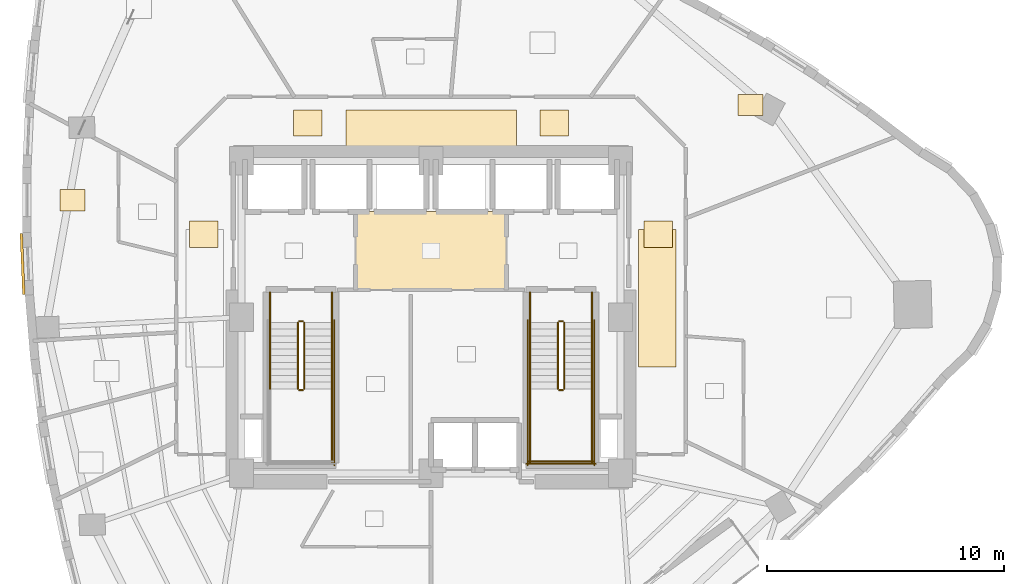
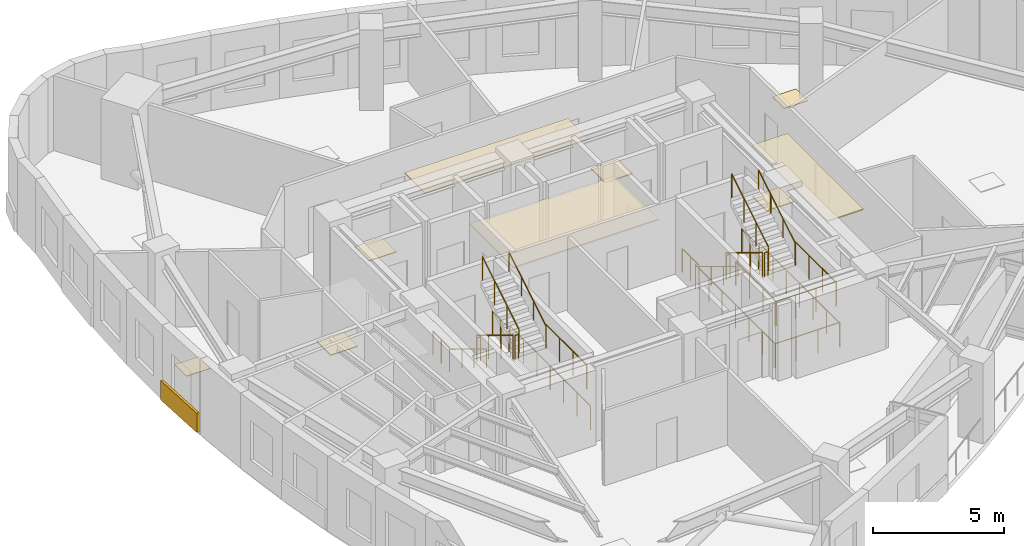
# One storey, part 11 of 12: 24 railings, 10 coverings.
"""IFC4 building model written with IfcOpenShell, lengths in metres."""

from ifc_helpers import new_model, si_unit, direction, frame, origin, origin_2d, place, context, subcontext, project, spatial, rectangle, circle, extrude, material, layer, layer_set, type_object, element, save


model = new_model("IFC4")

# Units and contexts
model_context = context("Model", 3, precision=1e-05, world=origin(), true_north=direction((0.0, 1.0)))
body_context = subcontext(model_context, "Body", "Model", "MODEL_VIEW")
ifc_project = project(units=[si_unit("LENGTHUNIT", "METRE"), si_unit("AREAUNIT", "SQUARE_METRE"), si_unit("VOLUMEUNIT", "CUBIC_METRE"), si_unit("PLANEANGLEUNIT", "RADIAN"), si_unit("MASSUNIT", "GRAM", prefix="KILO")], contexts=[model_context])

# Site, building, storey
site_placement = place(None, origin())
site = spatial("IfcSite", under=ifc_project, at=site_placement, CompositionType="ELEMENT")
building_placement = place(site_placement, origin())
building = spatial("IfcBuilding", under=site, at=building_placement, Name="Ndelora Gate Hotel", CompositionType="ELEMENT")
storey_placement = place(building_placement, frame((0.0, 0.0, 142.25)))
storey = spatial("IfcBuildingStorey", under=building, at=storey_placement, Name="L35", CompositionType="ELEMENT", Elevation=142.25)

# Coverings
ifc_material_1 = material(Name="Perforated Acoustic Gypsum Board", Category="gypsum")
ifc_layer_1 = layer(ifc_material_1, 0.054931640625)
ifc_layer_set_1 = layer_set([ifc_layer_1], Name="Perforated Acoustic Gypsum Board")
covering_type_1 = type_object("IfcCoveringType", Name="COV-CEIL-AC60", PredefinedType="CEILING", material=ifc_layer_set_1)
covering_1_placement = place(storey_placement, frame((0.0, 2.800048828125, 2.72265625), z_axis=(0.0, 0.0, 1.0), x_axis=(1.0, 0.0, 0.0)))
element("IfcCovering", 1, at=covering_1_placement, inside=storey, type_object=covering_type_1, Name="L35 Lift Lobby Acoustic Ceiling", PredefinedType="CEILING", context=body_context, shape_type="SweptSolid", body=[
    extrude(rectangle(XDim=6.39990234375, YDim=3.340087890625, at=origin_2d()), origin(), (0.0, 0.0, 1.0), 0.054931640625),
])
covering_2_placement = place(storey_placement, frame((0.0, 7.9599609375, 2.65234375), z_axis=(0.0, 0.0, 1.0), x_axis=(1.0, 0.0, 0.0)))
element("IfcCovering", 2, at=covering_2_placement, inside=storey, type_object=covering_type_1, Name="L35 Guest Corridor Acoustic Ceiling N", PredefinedType="CEILING", context=body_context, shape_type="SweptSolid", body=[
    extrude(rectangle(XDim=7.199951171875, YDim=1.580078125, at=origin_2d()), origin(), (0.0, 0.0, 1.0), 0.054931640625),
])
covering_3_placement = place(storey_placement, frame((9.550048828125, 0.800048828125, 2.65234375), z_axis=(0.0, 0.0, 1.0), x_axis=(1.0, 0.0, 0.0)))
element("IfcCovering", 3, at=covering_3_placement, inside=storey, type_object=covering_type_1, Name="L35 Guest Corridor Acoustic Ceiling E", PredefinedType="CEILING", context=body_context, shape_type="SweptSolid", body=[
    extrude(rectangle(XDim=1.580078125, YDim=5.800048828125, at=origin_2d()), origin(), (0.0, 0.0, 1.0), 0.054931640625),
])
ifc_material_2 = material(Name="Terracotta Fired Clay Brick Slip Cladding", Category="masonry")
ifc_layer_2 = layer(ifc_material_2, 0.110107421875)
ifc_layer_set_2 = layer_set([ifc_layer_2], Name="Terracotta Fired Clay Brick Slip Cladding")
covering_type_2 = type_object("IfcCoveringType", Name="COV-CLAD-BRK", PredefinedType="CLADDING", material=ifc_layer_set_2)
covering_4_placement = place(storey_placement, frame((-17.249755859375, 2.242431640625, 0.10009765625), z_axis=(0.0, 0.0, 1.0), x_axis=(-0.041003738744, 0.999158993058, 0.0)))
element("IfcCovering", 4, at=covering_4_placement, inside=storey, type_object=covering_type_2, Name="L35 Rounded-Corner Brick Cladding Band 13", PredefinedType="CLADDING", context=body_context, shape_type="SweptSolid", body=[
    extrude(rectangle(XDim=2.583984375, YDim=0.110107421875, at=origin_2d()), origin(), (0.0, 0.0, 1.0), 0.89990234375),
])
ifc_material_3 = material(Name="Engineered Highland Oak Parquet", Category="wood")
ifc_layer_3 = layer(ifc_material_3, 0.030029296875)
ifc_layer_set_3 = layer_set([ifc_layer_3], Name="Engineered Highland Oak Parquet")
covering_type_3 = type_object("IfcCoveringType", Name="COV-FLR-PARQ", PredefinedType="FLOORING", material=ifc_layer_set_3)
for number, where, z_axis, x_axis, name in (
    (5, (13.498779296875, 8.961181640625, 0.0), (0.0, 0.0, 1.0), (1.0, 0.0, 0.0), "L35 Club Fitness Gym Oak Parquet Flooring"),
    (6, (-15.135498046875, 4.940185546875, 0.0), (0.0, 0.0, 1.0), (1.0, 0.0, 0.0), "L35 Club King Guest Room 3804 Oak Parquet Flooring"),
):
    element("IfcCovering", number, at=place(storey_placement, frame(where, z_axis=z_axis, x_axis=x_axis)), inside=storey, type_object=covering_type_3, Name=name, PredefinedType="FLOORING", context=body_context, shape_type="SweptSolid", body=[
        extrude(rectangle(XDim=1.050048828125, YDim=0.89990234375, at=origin_2d()), origin(), (0.0, 0.0, 1.0), 0.030029296875),
    ])
ifc_material_4 = material(Name="Polished Highland Stone Terrazzo", Category="masonry")
ifc_layer_4 = layer(ifc_material_4, 0.034912109375)
ifc_layer_set_4 = layer_set([ifc_layer_4], Name="Polished Highland Stone Terrazzo")
covering_type_4 = type_object("IfcCoveringType", Name="COV-FLR-TERZ", PredefinedType="FLOORING", material=ifc_layer_set_4)
for number, where, z_axis, x_axis, name in (
    (7, (-5.199951171875, 8.199951171875, 0.0), (0.0, 0.0, 1.0), (1.0, 0.0, 0.0), "L35 Corridor Threshold Terrazzo Inlay NW"),
    (8, (5.199951171875, 8.199951171875, 0.0), (0.0, 0.0, 1.0), (1.0, 0.0, 0.0), "L35 Corridor Threshold Terrazzo Inlay NE"),
    (9, (-9.60009765625, 3.5, 0.0), (0.0, 0.0, 1.0), (1.0, 0.0, 0.0), "L35 Corridor Threshold Terrazzo Inlay W"),
    (10, (9.60009765625, 3.5, 0.0), (0.0, 0.0, 1.0), (1.0, 0.0, 0.0), "L35 Corridor Threshold Terrazzo Inlay E"),
):
    element("IfcCovering", number, at=place(storey_placement, frame(where, z_axis=z_axis, x_axis=x_axis)), inside=storey, type_object=covering_type_4, Name=name, PredefinedType="FLOORING", context=body_context, shape_type="SweptSolid", body=[
        extrude(rectangle(XDim=1.199951171875, YDim=1.10009765625, at=origin_2d()), origin(), (0.0, 0.0, 1.0), 0.034912109375),
    ])

# Railings
ifc_material_5 = material(Name="Painted Galvanized Steel Balustrade", Category="steel")
ifc_layer_5 = layer(ifc_material_5, 0.06005859375)
ifc_layer_set_5 = layer_set([ifc_layer_5], Name="Painted Galvanized Steel Balustrade")
railing_type_1 = type_object("IfcRailingType", Name="RL-STAIR-GD", PredefinedType="GUARDRAIL", material=ifc_layer_set_5)
railing_1_placement = place(storey_placement, frame((-5.6201171875, -0.22998046875, 0.17041015625)))
element("IfcRailing", 11, at=railing_1_placement, inside=storey, type_object=railing_type_1, Name="L35 ST4 stair guard 1", PredefinedType="GUARDRAIL", context=body_context, shape_type="SweptSolid", body=[
    extrude(circle(Radius=0.02392578125, at=origin_2d()), frame((0.0, 0.0, 1.10595703125), z_axis=(0.0, -0.854169791009, 0.51999420009), x_axis=(1.0, 0.0, 0.0)), (0.0, 0.0, 1.0), 3.278076171875),
    extrude(circle(Radius=0.02099609375, at=origin_2d()), origin(), (0.0, 0.0, 1.0), 1.081787109375),
    extrude(circle(Radius=0.02099609375, at=origin_2d()), frame((0.0, -0.933349609375, 0.568115234375)), (0.0, 0.0, 1.0), 1.081787109375),
    extrude(circle(Radius=0.02099609375, at=origin_2d()), frame((0.0, -1.86669921875, 1.136474609375)), (0.0, 0.0, 1.0), 1.081787109375),
    extrude(circle(Radius=0.02099609375, at=origin_2d()), frame((0.0, -2.800048828125, 1.70458984375)), (0.0, 0.0, 1.0), 1.081787109375),
])
railing_2_placement = place(storey_placement, frame((-5.570068359375, -3.080078125, 1.875)))
element("IfcRailing", 12, at=railing_2_placement, inside=storey, type_object=railing_type_1, Name="L35 ST4 stair guard 2", PredefinedType="GUARDRAIL", context=body_context, shape_type="SweptSolid", body=[
    extrude(circle(Radius=0.02392578125, at=origin_2d()), frame((0.0, 0.0, 1.10595703125), z_axis=(1.0, 0.0, 0.0), x_axis=(0.0, 1.0, 0.0)), (0.0, 0.0, 1.0), 0.16015625),
    extrude(circle(Radius=0.02099609375, at=origin_2d()), origin(), (0.0, 0.0, 1.0), 1.081787109375),
    extrude(circle(Radius=0.02099609375, at=origin_2d()), frame((0.16015625, 0.0, 0.0)), (0.0, 0.0, 1.0), 1.081787109375),
])
railing_3_placement = place(storey_placement, frame((-4.179931640625, -3.030029296875, 1.875)))
element("IfcRailing", 13, at=railing_3_placement, inside=storey, type_object=railing_type_1, Name="L35 ST4 stair guard 4", PredefinedType="GUARDRAIL", context=body_context, shape_type="SweptSolid", body=[
    extrude(circle(Radius=0.02392578125, at=origin_2d()), frame((0.0, 0.0, 1.10595703125), z_axis=(0.0, -1.0, 0.0), x_axis=(1.0, 0.0, 0.0)), (0.0, 0.0, 1.0), 3.119873046875),
    extrude(circle(Radius=0.02099609375, at=origin_2d()), origin(), (0.0, 0.0, 1.0), 1.081787109375),
    extrude(circle(Radius=0.02099609375, at=origin_2d()), frame((0.0, -1.0400390625, 0.0)), (0.0, 0.0, 1.0), 1.081787109375),
    extrude(circle(Radius=0.02099609375, at=origin_2d()), frame((0.0, -2.079833984375, 0.0)), (0.0, 0.0, 1.0), 1.081787109375),
    extrude(circle(Radius=0.02099609375, at=origin_2d()), frame((0.0, -3.119873046875, 0.0)), (0.0, 0.0, 1.0), 1.081787109375),
])
railing_4_placement = place(storey_placement, frame((-5.360107421875, -3.030029296875, 2.04541015625)))
element("IfcRailing", 14, at=railing_4_placement, inside=storey, type_object=railing_type_1, Name="L35 ST4 stair guard 6", PredefinedType="GUARDRAIL", context=body_context, shape_type="SweptSolid", body=[
    extrude(circle(Radius=0.02392578125, at=origin_2d()), frame((0.0, 0.0, 1.10595703125), z_axis=(0.0, 0.854169791009, 0.51999420009), x_axis=(-1.0, 0.0, 0.0)), (0.0, 0.0, 1.0), 3.278076171875),
    extrude(circle(Radius=0.02099609375, at=origin_2d()), origin(), (0.0, 0.0, 1.0), 1.081787109375),
    extrude(circle(Radius=0.02099609375, at=origin_2d()), frame((0.0, 0.933349609375, 0.568115234375)), (0.0, 0.0, 1.0), 1.081787109375),
    extrude(circle(Radius=0.02099609375, at=origin_2d()), frame((0.0, 1.86669921875, 1.136474609375)), (0.0, 0.0, 1.0), 1.081787109375),
    extrude(circle(Radius=0.02099609375, at=origin_2d()), frame((0.0, 2.800048828125, 1.70458984375)), (0.0, 0.0, 1.0), 1.081787109375),
])
railing_5_placement = place(storey_placement, frame((-5.570068359375, -0.179931640625, 0.0)))
element("IfcRailing", 15, at=railing_5_placement, inside=storey, type_object=railing_type_1, Name="L35 ST4 stair guard 7", PredefinedType="GUARDRAIL", context=body_context, shape_type="SweptSolid", body=[
    extrude(circle(Radius=0.02392578125, at=origin_2d()), frame((0.0, 0.0, 1.10595703125), z_axis=(1.0, 0.0, 0.0), x_axis=(0.0, 1.0, 0.0)), (0.0, 0.0, 1.0), 0.16015625),
    extrude(circle(Radius=0.02099609375, at=origin_2d()), origin(), (0.0, 0.0, 1.0), 1.081787109375),
    extrude(circle(Radius=0.02099609375, at=origin_2d()), frame((0.16015625, 0.0, 0.0)), (0.0, 0.0, 1.0), 1.081787109375),
])
for number, where, name in (
    (16, (-6.800048828125, 1.050048828125, 0.0), "L35 ST4 stair guard 8"),
    (17, (-4.179931640625, 1.050048828125, 0.0), "L35 ST4 stair guard 9"),
):
    element("IfcRailing", number, at=place(storey_placement, frame(where)), inside=storey, type_object=railing_type_1, Name=name, PredefinedType="GUARDRAIL", context=body_context, shape_type="SweptSolid", body=[
        extrude(circle(Radius=0.02392578125, at=origin_2d()), frame((0.0, 0.0, 1.10595703125), z_axis=(0.0, -1.0, 0.0), x_axis=(1.0, 0.0, 0.0)), (0.0, 0.0, 1.0), 1.280029296875),
        extrude(circle(Radius=0.02099609375, at=origin_2d()), origin(), (0.0, 0.0, 1.0), 1.081787109375),
        extrude(circle(Radius=0.02099609375, at=origin_2d()), frame((0.0, -0.64013671875, 0.0)), (0.0, 0.0, 1.0), 1.081787109375),
        extrude(circle(Radius=0.02099609375, at=origin_2d()), frame((0.0, -1.280029296875, 0.0)), (0.0, 0.0, 1.0), 1.081787109375),
    ])
railing_6_placement = place(storey_placement, frame((-4.080078125, -0.1298828125, 0.0)))
element("IfcRailing", 18, at=railing_6_placement, inside=storey, type_object=railing_type_1, Name="L35 ST4 stair guard 11", PredefinedType="GUARDRAIL", context=body_context, shape_type="SweptSolid", body=[
    extrude(circle(Radius=0.02392578125, at=origin_2d()), frame((0.0, 0.0, 1.10595703125), z_axis=(0.0, -1.0, 0.0), x_axis=(1.0, 0.0, 0.0)), (0.0, 0.0, 1.0), 6.1201171875),
    extrude(circle(Radius=0.02099609375, at=origin_2d()), origin(), (0.0, 0.0, 1.0), 1.081787109375),
    extrude(circle(Radius=0.02099609375, at=origin_2d()), frame((0.0, -1.02001953125, 0.0)), (0.0, 0.0, 1.0), 1.081787109375),
    extrude(circle(Radius=0.02099609375, at=origin_2d()), frame((0.0, -2.0400390625, 0.0)), (0.0, 0.0, 1.0), 1.081787109375),
    extrude(circle(Radius=0.02099609375, at=origin_2d()), frame((0.0, -3.06005859375, 0.0)), (0.0, 0.0, 1.0), 1.081787109375),
    extrude(circle(Radius=0.02099609375, at=origin_2d()), frame((0.0, -4.080078125, 0.0)), (0.0, 0.0, 1.0), 1.081787109375),
    extrude(circle(Radius=0.02099609375, at=origin_2d()), frame((0.0, -5.10009765625, 0.0)), (0.0, 0.0, 1.0), 1.081787109375),
    extrude(circle(Radius=0.02099609375, at=origin_2d()), frame((0.0, -6.1201171875, 0.0)), (0.0, 0.0, 1.0), 1.081787109375),
])
railing_7_placement = place(storey_placement, frame((5.360107421875, -0.22998046875, 0.17041015625)))
element("IfcRailing", 19, at=railing_7_placement, inside=storey, type_object=railing_type_1, Name="L35 ST5 stair guard 1", PredefinedType="GUARDRAIL", context=body_context, shape_type="SweptSolid", body=[
    extrude(circle(Radius=0.02392578125, at=origin_2d()), frame((0.0, 0.0, 1.10595703125), z_axis=(0.0, -0.854169791009, 0.51999420009), x_axis=(1.0, 0.0, 0.0)), (0.0, 0.0, 1.0), 3.278076171875),
    extrude(circle(Radius=0.02099609375, at=origin_2d()), origin(), (0.0, 0.0, 1.0), 1.081787109375),
    extrude(circle(Radius=0.02099609375, at=origin_2d()), frame((0.0, -0.933349609375, 0.568115234375)), (0.0, 0.0, 1.0), 1.081787109375),
    extrude(circle(Radius=0.02099609375, at=origin_2d()), frame((0.0, -1.86669921875, 1.136474609375)), (0.0, 0.0, 1.0), 1.081787109375),
    extrude(circle(Radius=0.02099609375, at=origin_2d()), frame((0.0, -2.800048828125, 1.70458984375)), (0.0, 0.0, 1.0), 1.081787109375),
])
railing_8_placement = place(storey_placement, frame((5.409912109375, -3.080078125, 1.875)))
element("IfcRailing", 20, at=railing_8_placement, inside=storey, type_object=railing_type_1, Name="L35 ST5 stair guard 2", PredefinedType="GUARDRAIL", context=body_context, shape_type="SweptSolid", body=[
    extrude(circle(Radius=0.02392578125, at=origin_2d()), frame((0.0, 0.0, 1.10595703125), z_axis=(1.0, 0.0, 0.0), x_axis=(0.0, 1.0, 0.0)), (0.0, 0.0, 1.0), 0.16015625),
    extrude(circle(Radius=0.02099609375, at=origin_2d()), origin(), (0.0, 0.0, 1.0), 1.081787109375),
    extrude(circle(Radius=0.02099609375, at=origin_2d()), frame((0.16015625, 0.0, 0.0)), (0.0, 0.0, 1.0), 1.081787109375),
])
for number, where, name in (
    (21, (4.179931640625, -3.030029296875, 1.875), "L35 ST5 stair guard 3"),
    (22, (6.800048828125, -3.030029296875, 1.875), "L35 ST5 stair guard 4"),
):
    element("IfcRailing", number, at=place(storey_placement, frame(where)), inside=storey, type_object=railing_type_1, Name=name, PredefinedType="GUARDRAIL", context=body_context, shape_type="SweptSolid", body=[
        extrude(circle(Radius=0.02392578125, at=origin_2d()), frame((0.0, 0.0, 1.10595703125), z_axis=(0.0, -1.0, 0.0), x_axis=(1.0, 0.0, 0.0)), (0.0, 0.0, 1.0), 3.119873046875),
        extrude(circle(Radius=0.02099609375, at=origin_2d()), origin(), (0.0, 0.0, 1.0), 1.081787109375),
        extrude(circle(Radius=0.02099609375, at=origin_2d()), frame((0.0, -1.0400390625, 0.0)), (0.0, 0.0, 1.0), 1.081787109375),
        extrude(circle(Radius=0.02099609375, at=origin_2d()), frame((0.0, -2.079833984375, 0.0)), (0.0, 0.0, 1.0), 1.081787109375),
        extrude(circle(Radius=0.02099609375, at=origin_2d()), frame((0.0, -3.119873046875, 0.0)), (0.0, 0.0, 1.0), 1.081787109375),
    ])
railing_9_placement = place(storey_placement, frame((4.1298828125, -6.10009765625, 1.875)))
element("IfcRailing", 23, at=railing_9_placement, inside=storey, type_object=railing_type_1, Name="L35 ST5 stair guard 5", PredefinedType="GUARDRAIL", context=body_context, shape_type="SweptSolid", body=[
    extrude(circle(Radius=0.02392578125, at=origin_2d()), frame((0.0, 0.0, 1.10595703125), z_axis=(1.0, 0.0, 0.0), x_axis=(0.0, 1.0, 0.0)), (0.0, 0.0, 1.0), 2.72021484375),
    extrude(circle(Radius=0.02099609375, at=origin_2d()), origin(), (0.0, 0.0, 1.0), 1.081787109375),
    extrude(circle(Radius=0.02099609375, at=origin_2d()), frame((0.90673828125, 0.0, 0.0)), (0.0, 0.0, 1.0), 1.081787109375),
    extrude(circle(Radius=0.02099609375, at=origin_2d()), frame((1.8134765625, 0.0, 0.0)), (0.0, 0.0, 1.0), 1.081787109375),
    extrude(circle(Radius=0.02099609375, at=origin_2d()), frame((2.72021484375, 0.0, 0.0)), (0.0, 0.0, 1.0), 1.081787109375),
])
railing_10_placement = place(storey_placement, frame((5.6201171875, -3.030029296875, 2.04541015625)))
element("IfcRailing", 24, at=railing_10_placement, inside=storey, type_object=railing_type_1, Name="L35 ST5 stair guard 6", PredefinedType="GUARDRAIL", context=body_context, shape_type="SweptSolid", body=[
    extrude(circle(Radius=0.02392578125, at=origin_2d()), frame((0.0, 0.0, 1.10595703125), z_axis=(0.0, 0.854169791009, 0.51999420009), x_axis=(-1.0, 0.0, 0.0)), (0.0, 0.0, 1.0), 3.278076171875),
    extrude(circle(Radius=0.02099609375, at=origin_2d()), origin(), (0.0, 0.0, 1.0), 1.081787109375),
    extrude(circle(Radius=0.02099609375, at=origin_2d()), frame((0.0, 0.933349609375, 0.568115234375)), (0.0, 0.0, 1.0), 1.081787109375),
    extrude(circle(Radius=0.02099609375, at=origin_2d()), frame((0.0, 1.86669921875, 1.136474609375)), (0.0, 0.0, 1.0), 1.081787109375),
    extrude(circle(Radius=0.02099609375, at=origin_2d()), frame((0.0, 2.800048828125, 1.70458984375)), (0.0, 0.0, 1.0), 1.081787109375),
])
railing_11_placement = place(storey_placement, frame((5.409912109375, -0.179931640625, 0.0)))
element("IfcRailing", 25, at=railing_11_placement, inside=storey, type_object=railing_type_1, Name="L35 ST5 stair guard 7", PredefinedType="GUARDRAIL", context=body_context, shape_type="SweptSolid", body=[
    extrude(circle(Radius=0.02392578125, at=origin_2d()), frame((0.0, 0.0, 1.10595703125), z_axis=(1.0, 0.0, 0.0), x_axis=(0.0, 1.0, 0.0)), (0.0, 0.0, 1.0), 0.16015625),
    extrude(circle(Radius=0.02099609375, at=origin_2d()), origin(), (0.0, 0.0, 1.0), 1.081787109375),
    extrude(circle(Radius=0.02099609375, at=origin_2d()), frame((0.16015625, 0.0, 0.0)), (0.0, 0.0, 1.0), 1.081787109375),
])
for number, where, name in (
    (26, (4.179931640625, 1.050048828125, 0.0), "L35 ST5 stair guard 8"),
    (27, (6.800048828125, 1.050048828125, 0.0), "L35 ST5 stair guard 9"),
):
    element("IfcRailing", number, at=place(storey_placement, frame(where)), inside=storey, type_object=railing_type_1, Name=name, PredefinedType="GUARDRAIL", context=body_context, shape_type="SweptSolid", body=[
        extrude(circle(Radius=0.02392578125, at=origin_2d()), frame((0.0, 0.0, 1.10595703125), z_axis=(0.0, -1.0, 0.0), x_axis=(1.0, 0.0, 0.0)), (0.0, 0.0, 1.0), 1.280029296875),
        extrude(circle(Radius=0.02099609375, at=origin_2d()), origin(), (0.0, 0.0, 1.0), 1.081787109375),
        extrude(circle(Radius=0.02099609375, at=origin_2d()), frame((0.0, -0.64013671875, 0.0)), (0.0, 0.0, 1.0), 1.081787109375),
        extrude(circle(Radius=0.02099609375, at=origin_2d()), frame((0.0, -1.280029296875, 0.0)), (0.0, 0.0, 1.0), 1.081787109375),
    ])
for number, where, name in (
    (28, (4.080078125, -0.1298828125, 0.0), "L35 ST5 stair guard 10"),
    (29, (6.89990234375, -0.1298828125, 0.0), "L35 ST5 stair guard 11"),
):
    element("IfcRailing", number, at=place(storey_placement, frame(where)), inside=storey, type_object=railing_type_1, Name=name, PredefinedType="GUARDRAIL", context=body_context, shape_type="SweptSolid", body=[
        extrude(circle(Radius=0.02392578125, at=origin_2d()), frame((0.0, 0.0, 1.10595703125), z_axis=(0.0, -1.0, 0.0), x_axis=(1.0, 0.0, 0.0)), (0.0, 0.0, 1.0), 6.1201171875),
        extrude(circle(Radius=0.02099609375, at=origin_2d()), origin(), (0.0, 0.0, 1.0), 1.081787109375),
        extrude(circle(Radius=0.02099609375, at=origin_2d()), frame((0.0, -1.02001953125, 0.0)), (0.0, 0.0, 1.0), 1.081787109375),
        extrude(circle(Radius=0.02099609375, at=origin_2d()), frame((0.0, -2.0400390625, 0.0)), (0.0, 0.0, 1.0), 1.081787109375),
        extrude(circle(Radius=0.02099609375, at=origin_2d()), frame((0.0, -3.06005859375, 0.0)), (0.0, 0.0, 1.0), 1.081787109375),
        extrude(circle(Radius=0.02099609375, at=origin_2d()), frame((0.0, -4.080078125, 0.0)), (0.0, 0.0, 1.0), 1.081787109375),
        extrude(circle(Radius=0.02099609375, at=origin_2d()), frame((0.0, -5.10009765625, 0.0)), (0.0, 0.0, 1.0), 1.081787109375),
        extrude(circle(Radius=0.02099609375, at=origin_2d()), frame((0.0, -6.1201171875, 0.0)), (0.0, 0.0, 1.0), 1.081787109375),
    ])
railing_12_placement = place(storey_placement, frame((4.030029296875, -6.199951171875, 0.0)))
element("IfcRailing", 30, at=railing_12_placement, inside=storey, type_object=railing_type_1, Name="L35 ST5 stair guard 12", PredefinedType="GUARDRAIL", context=body_context, shape_type="SweptSolid", body=[
    extrude(circle(Radius=0.02392578125, at=origin_2d()), frame((0.0, 0.0, 1.10595703125), z_axis=(1.0, 0.0, 0.0), x_axis=(0.0, 1.0, 0.0)), (0.0, 0.0, 1.0), 2.919921875),
    extrude(circle(Radius=0.02099609375, at=origin_2d()), origin(), (0.0, 0.0, 1.0), 1.081787109375),
    extrude(circle(Radius=0.02099609375, at=origin_2d()), frame((0.973388671875, 0.0, 0.0)), (0.0, 0.0, 1.0), 1.081787109375),
    extrude(circle(Radius=0.02099609375, at=origin_2d()), frame((1.946533203125, 0.0, 0.0)), (0.0, 0.0, 1.0), 1.081787109375),
    extrude(circle(Radius=0.02099609375, at=origin_2d()), frame((2.919921875, 0.0, 0.0)), (0.0, 0.0, 1.0), 1.081787109375),
])
ifc_material_6 = material(Name="Brushed Stainless Steel 316", Category="steel")
ifc_layer_6 = layer(ifc_material_6, 0.050048828125)
ifc_layer_set_6 = layer_set([ifc_layer_6], Name="Brushed Stainless Steel 316")
railing_type_2 = type_object("IfcRailingType", Name="RL-STAIR-HR", PredefinedType="HANDRAIL", material=ifc_layer_set_6)
railing_13_placement = place(storey_placement, frame((-6.800048828125, -0.22998046875, 0.17041015625)))
element("IfcRailing", 31, at=railing_13_placement, inside=storey, type_object=railing_type_2, Name="L35 ST4 stair handrail 1", PredefinedType="HANDRAIL", context=body_context, shape_type="SweptSolid", body=[
    extrude(circle(Radius=0.02392578125, at=origin_2d()), frame((0.0, 0.0, 0.8759765625), z_axis=(0.0, -0.854169791009, 0.51999420009), x_axis=(1.0, 0.0, 0.0)), (0.0, 0.0, 1.0), 3.278076171875),
    extrude(circle(Radius=0.02099609375, at=origin_2d()), origin(), (0.0, 0.0, 1.0), 0.851806640625),
    extrude(circle(Radius=0.02099609375, at=origin_2d()), frame((0.0, -0.933349609375, 0.568115234375)), (0.0, 0.0, 1.0), 0.851806640625),
    extrude(circle(Radius=0.02099609375, at=origin_2d()), frame((0.0, -1.86669921875, 1.136474609375)), (0.0, 0.0, 1.0), 0.851806640625),
    extrude(circle(Radius=0.02099609375, at=origin_2d()), frame((0.0, -2.800048828125, 1.70458984375)), (0.0, 0.0, 1.0), 0.851806640625),
])
railing_14_placement = place(storey_placement, frame((-4.179931640625, -3.030029296875, 2.04541015625)))
element("IfcRailing", 32, at=railing_14_placement, inside=storey, type_object=railing_type_2, Name="L35 ST4 stair handrail 2", PredefinedType="HANDRAIL", context=body_context, shape_type="SweptSolid", body=[
    extrude(circle(Radius=0.02392578125, at=origin_2d()), frame((0.0, 0.0, 0.8759765625), z_axis=(0.0, 0.854169791009, 0.51999420009), x_axis=(-1.0, 0.0, 0.0)), (0.0, 0.0, 1.0), 3.278076171875),
    extrude(circle(Radius=0.02099609375, at=origin_2d()), origin(), (0.0, 0.0, 1.0), 0.851806640625),
    extrude(circle(Radius=0.02099609375, at=origin_2d()), frame((0.0, 0.933349609375, 0.568115234375)), (0.0, 0.0, 1.0), 0.851806640625),
    extrude(circle(Radius=0.02099609375, at=origin_2d()), frame((0.0, 1.86669921875, 1.136474609375)), (0.0, 0.0, 1.0), 0.851806640625),
    extrude(circle(Radius=0.02099609375, at=origin_2d()), frame((0.0, 2.800048828125, 1.70458984375)), (0.0, 0.0, 1.0), 0.851806640625),
])
railing_15_placement = place(storey_placement, frame((4.179931640625, -0.22998046875, 0.17041015625)))
element("IfcRailing", 33, at=railing_15_placement, inside=storey, type_object=railing_type_2, Name="L35 ST5 stair handrail 1", PredefinedType="HANDRAIL", context=body_context, shape_type="SweptSolid", body=[
    extrude(circle(Radius=0.02392578125, at=origin_2d()), frame((0.0, 0.0, 0.8759765625), z_axis=(0.0, -0.854169791009, 0.51999420009), x_axis=(1.0, 0.0, 0.0)), (0.0, 0.0, 1.0), 3.278076171875),
    extrude(circle(Radius=0.02099609375, at=origin_2d()), origin(), (0.0, 0.0, 1.0), 0.851806640625),
    extrude(circle(Radius=0.02099609375, at=origin_2d()), frame((0.0, -0.933349609375, 0.568115234375)), (0.0, 0.0, 1.0), 0.851806640625),
    extrude(circle(Radius=0.02099609375, at=origin_2d()), frame((0.0, -1.86669921875, 1.136474609375)), (0.0, 0.0, 1.0), 0.851806640625),
    extrude(circle(Radius=0.02099609375, at=origin_2d()), frame((0.0, -2.800048828125, 1.70458984375)), (0.0, 0.0, 1.0), 0.851806640625),
])
railing_16_placement = place(storey_placement, frame((6.800048828125, -3.030029296875, 2.04541015625)))
element("IfcRailing", 34, at=railing_16_placement, inside=storey, type_object=railing_type_2, Name="L35 ST5 stair handrail 2", PredefinedType="HANDRAIL", context=body_context, shape_type="SweptSolid", body=[
    extrude(circle(Radius=0.02392578125, at=origin_2d()), frame((0.0, 0.0, 0.8759765625), z_axis=(0.0, 0.854169791009, 0.51999420009), x_axis=(-1.0, 0.0, 0.0)), (0.0, 0.0, 1.0), 3.278076171875),
    extrude(circle(Radius=0.02099609375, at=origin_2d()), origin(), (0.0, 0.0, 1.0), 0.851806640625),
    extrude(circle(Radius=0.02099609375, at=origin_2d()), frame((0.0, 0.933349609375, 0.568115234375)), (0.0, 0.0, 1.0), 0.851806640625),
    extrude(circle(Radius=0.02099609375, at=origin_2d()), frame((0.0, 1.86669921875, 1.136474609375)), (0.0, 0.0, 1.0), 0.851806640625),
    extrude(circle(Radius=0.02099609375, at=origin_2d()), frame((0.0, 2.800048828125, 1.70458984375)), (0.0, 0.0, 1.0), 0.851806640625),
])

save(model, "model.ifc")
